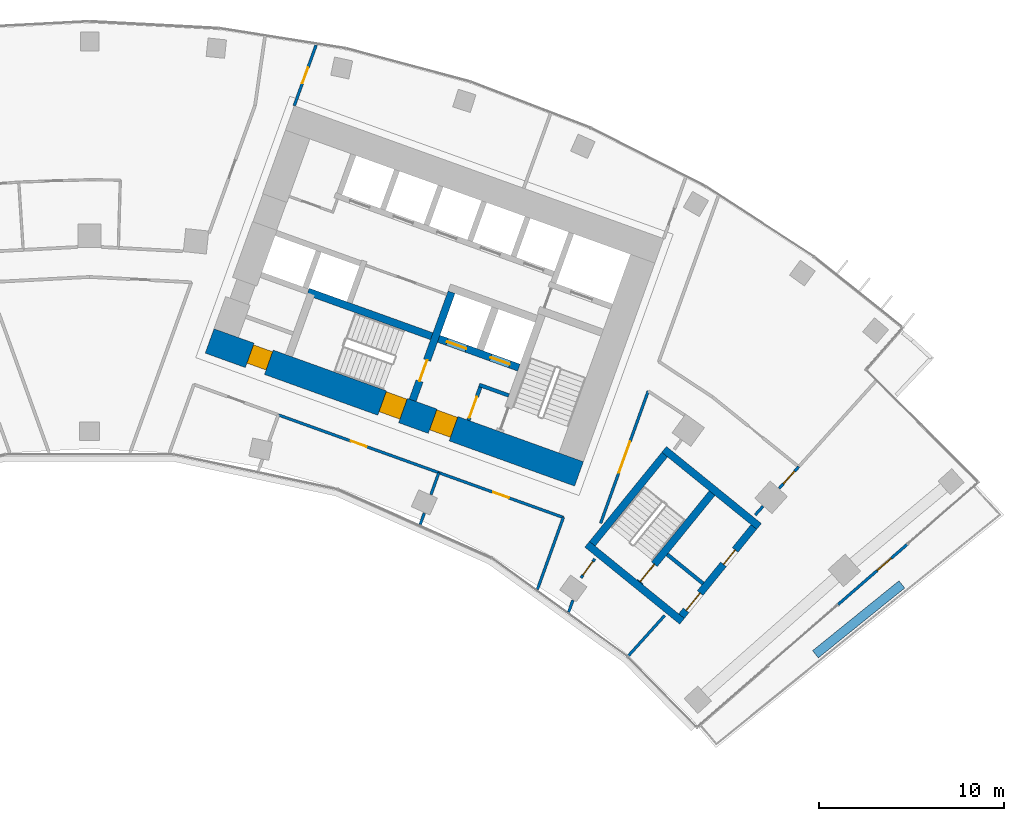
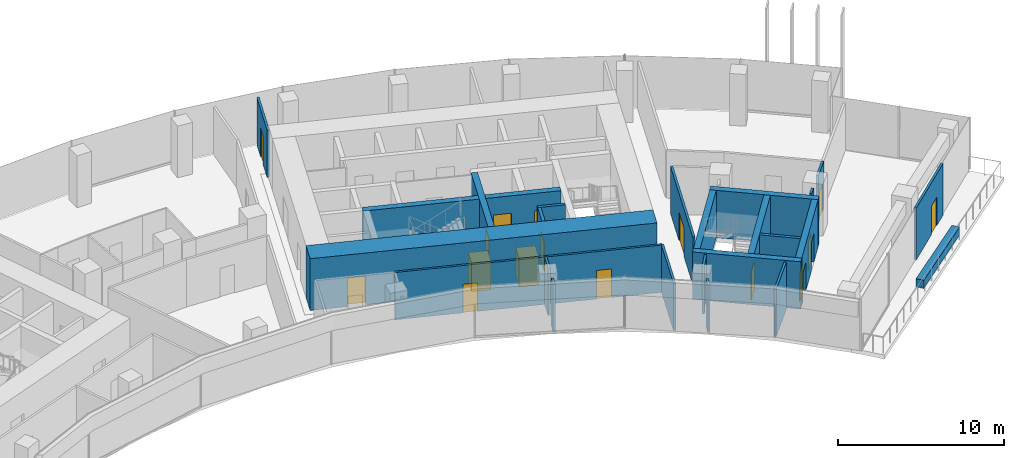
# One storey, part 16 of 20: 25 walls, 17 doors, 17 openings.
"""IFC4 building model written with IfcOpenShell, lengths in metres."""

from ifc_helpers import new_model, si_unit, direction, frame, frame_2d, origin, origin_2d, place, context, subcontext, project, spatial, rectangle, extrude, material, layer, layer_set, type_object, element, fill, save


model = new_model("IFC4")

# Units and contexts
model_context = context("Model", 3, precision=1e-05, world=origin(), true_north=direction((0.0, 1.0)))
body_context = subcontext(model_context, "Body", "Model", "MODEL_VIEW")
ifc_project = project(units=[si_unit("LENGTHUNIT", "METRE"), si_unit("AREAUNIT", "SQUARE_METRE"), si_unit("VOLUMEUNIT", "CUBIC_METRE"), si_unit("PLANEANGLEUNIT", "RADIAN"), si_unit("MASSUNIT", "GRAM", prefix="KILO")], contexts=[model_context])

# Site, building, storey
site_placement = place(None, origin())
site = spatial("IfcSite", under=ifc_project, at=site_placement, CompositionType="ELEMENT")
building_placement = place(site_placement, origin())
building = spatial("IfcBuilding", under=site, at=building_placement, Name="Stone Belt Terrace Tower", CompositionType="ELEMENT")
storey_placement = place(building_placement, frame((0.0, 0.0, 170.60009765625)))
storey = spatial("IfcBuildingStorey", under=building, at=storey_placement, Name="L41", CompositionType="ELEMENT", Elevation=170.60009765625)

# Wall, opening, door
ifc_material_1 = material(Name="Terracotta coloured glazed ceramic", Category="masonry")
ifc_layer_1 = layer(ifc_material_1, 0.14990234375)
ifc_layer_set_1 = layer_set([ifc_layer_1], Name="Ceramic rain-screen wall 150")
wall_type_1 = type_object("IfcWallType", Name="Ceramic rain-screen wall 150", PredefinedType="SOLIDWALL", material=ifc_layer_set_1)
wall_1_placement = place(storey_placement, frame((40.425537109375, 35.089111328125, 0.0), z_axis=(0.0, 0.0, 1.0), x_axis=(0.754270272843, 0.656564052858, 0.0)))
wall_1 = element("IfcWall", 1, at=wall_1_placement, inside=storey, type_object=wall_type_1, Name="Door wall L41", PredefinedType="SOLIDWALL", context=body_context, shape_type="SweptSolid", body=[
    extrude(rectangle(XDim=4.93994140625, YDim=0.14990234375, at=frame_2d((2.469970703125, 0.0))), origin(), (0.0, 0.0, 1.0), 3.7998046875),
])
opening_1_placement = place(wall_1_placement, frame((2.800048828125, 0.0, 0.0)))
opening_1 = element("IfcOpeningElement", 2, at=opening_1_placement, cuts=wall_1, Name="Opening L41-E01", PredefinedType="OPENING", context=body_context, shape_type="SweptSolid", body=[
    extrude(rectangle(XDim=1.0, YDim=2.10009765625, at=frame_2d((0.5, 1.050048828125))), frame((0.0, 0.0849609375, 0.0), z_axis=(0.0, -1.0, 0.0), x_axis=(1.0, 0.0, 0.0)), (0.0, 0.0, 1.0), 0.169921875),
])
ifc_material_2 = material(Name="Anodised aluminium glazed door", Category="aluminium")
door_type_1 = type_object("IfcDoorType", Name="Terrace door 1000 x 2100", OperationType="NOTDEFINED", PredefinedType="DOOR", material=ifc_material_2)
door_1_placement = place(opening_1_placement, origin())
door_1 = element("IfcDoor", 3, at=door_1_placement, inside=storey, type_object=door_type_1, Name="Terrace door L41", OperationType="SINGLE_SWING_RIGHT", OverallHeight=2.10009765625, OverallWidth=1.0, PredefinedType="DOOR", context=body_context, shape_type="SweptSolid", body=[
    extrude(rectangle(XDim=1.0, YDim=2.10009765625, at=frame_2d((0.5, 1.050048828125))), frame((0.0, 0.02490234375, 0.0), z_axis=(0.0, -1.0, 0.0), x_axis=(1.0, 0.0, 0.0)), (0.0, 0.0, 1.0), 0.050048828125),
])
fill(opening_1, door_1)

# Wall, openings, doors
ifc_material_3 = material(Name="Concrete B80", Category="concrete")
ifc_layer_2 = layer(ifc_material_3, 1.39990234375)
ifc_layer_set_2 = layer_set([ifc_layer_2], Name="Core wall 1400 B80")
wall_type_2 = type_object("IfcWallType", Name="Core wall 1400 B80", PredefinedType="SHEAR", material=ifc_layer_set_2)
wall_2_placement = place(storey_placement, frame((6.4833984375, 49.318115234375, 0.0), z_axis=(0.0, 0.0, 1.0), x_axis=(0.940923374003, -0.33861955681, 0.0)))
wall_2 = element("IfcWall", 4, at=wall_2_placement, inside=storey, type_object=wall_type_2, Name="Core B wall concave L41", PredefinedType="SHEAR", context=body_context, shape_type="SweptSolid", body=[
    extrude(rectangle(XDim=21.199951171875, YDim=1.39990234375, at=frame_2d((10.60009765625, 0.0))), origin(), (0.0, 0.0, 1.0), 3.7998046875),
])
opening_2_placement = place(wall_2_placement, frame((12.800048828125, 0.0, 0.0)))
opening_2 = element("IfcOpeningElement", 5, at=opening_2_placement, cuts=wall_2, Name="Opening L41-C18", PredefinedType="OPENING", context=body_context, shape_type="SweptSolid", body=[
    extrude(rectangle(XDim=1.199951171875, YDim=2.10009765625, at=frame_2d((0.60009765625, 1.050048828125))), frame((0.0, 0.7099609375, 0.0), z_axis=(0.0, -1.0, 0.0), x_axis=(1.0, 0.0, 0.0)), (0.0, 0.0, 1.0), 1.419921875),
])
opening_3_placement = place(wall_2_placement, frame((9.89990234375, 0.0, 0.0)))
opening_3 = element("IfcOpeningElement", 6, at=opening_3_placement, cuts=wall_2, Name="Opening L41-C20", PredefinedType="OPENING", context=body_context, shape_type="SweptSolid", body=[
    extrude(rectangle(XDim=1.199951171875, YDim=2.10009765625, at=frame_2d((0.60009765625, 1.050048828125))), frame((0.0, 0.7099609375, 0.0), z_axis=(0.0, -1.0, 0.0), x_axis=(1.0, 0.0, 0.0)), (0.0, 0.0, 1.0), 1.419921875),
])
opening_4_placement = place(wall_2_placement, frame((2.300048828125, 0.0, 0.0)))
opening_4 = element("IfcOpeningElement", 7, at=opening_4_placement, cuts=wall_2, Name="Opening L41-C22", PredefinedType="OPENING", context=body_context, shape_type="SweptSolid", body=[
    extrude(rectangle(XDim=1.10009765625, YDim=2.10009765625, at=frame_2d((0.550048828125, 1.050048828125))), frame((0.0, 0.7099609375, 0.0), z_axis=(0.0, -1.0, 0.0), x_axis=(1.0, 0.0, 0.0)), (0.0, 0.0, 1.0), 1.419921875),
])
ifc_material_4 = material(Name="Timber door leaf", Category="wood")
door_type_2 = type_object("IfcDoorType", Name="Core room door 1100", OperationType="SINGLE_SWING_LEFT", PredefinedType="DOOR", material=ifc_material_4)
door_2_placement = place(opening_4_placement, origin())
door_2 = element("IfcDoor", 8, at=door_2_placement, inside=storey, type_object=door_type_2, Name="Door to Pipe riser core B", OperationType="SINGLE_SWING_LEFT", OverallHeight=2.10009765625, OverallWidth=1.10009765625, PredefinedType="DOOR", context=body_context, shape_type="SweptSolid", body=[
    extrude(rectangle(XDim=1.10009765625, YDim=2.10009765625, at=frame_2d((0.550048828125, 1.050048828125))), frame((0.0, 0.60498046875, 0.0), z_axis=(0.0, -1.0, 0.0), x_axis=(1.0, 0.0, 0.0)), (0.0, 0.0, 1.0), 1.050048828125),
])
fill(opening_4, door_2)
ifc_material_5 = material(Name="Steel door leaf", Category="steel")
door_type_3 = type_object("IfcDoorType", Name="Fire-fighting lobby door 1200", OperationType="SINGLE_SWING_LEFT", PredefinedType="DOOR", material=ifc_material_5)
door_3_placement = place(opening_2_placement, origin())
door_3 = element("IfcDoor", 9, at=door_3_placement, inside=storey, type_object=door_type_3, Name="Fire-fighting lobby door core B", OperationType="SINGLE_SWING_LEFT", OverallHeight=2.10009765625, OverallWidth=1.199951171875, PredefinedType="DOOR", context=body_context, shape_type="SweptSolid", body=[
    extrude(rectangle(XDim=1.199951171875, YDim=2.10009765625, at=frame_2d((0.60009765625, 1.050048828125))), frame((0.0, 0.655029296875, 0.0), z_axis=(0.0, -1.0, 0.0), x_axis=(1.0, 0.0, 0.0)), (0.0, 0.0, 1.0), 1.14990234375),
])
fill(opening_2, door_3)
door_type_4 = type_object("IfcDoorType", Name="Stair door 1200", OperationType="SINGLE_SWING_LEFT", PredefinedType="DOOR", material=ifc_material_5)
door_4_placement = place(opening_3_placement, origin())
door_4 = element("IfcDoor", 10, at=door_4_placement, inside=storey, type_object=door_type_4, Name="Stair 2 exit door core B", OperationType="SINGLE_SWING_RIGHT", OverallHeight=2.10009765625, OverallWidth=1.199951171875, PredefinedType="DOOR", context=body_context, shape_type="SweptSolid", body=[
    extrude(rectangle(XDim=1.199951171875, YDim=2.10009765625, at=frame_2d((0.60009765625, 1.050048828125))), frame((0.0, 0.655029296875, 0.0), z_axis=(0.0, -1.0, 0.0), x_axis=(1.0, 0.0, 0.0)), (0.0, 0.0, 1.0), 1.14990234375),
])
fill(opening_3, door_4)

# Wall, opening, door
ifc_material_6 = material(Name="Gypsum board partition")
ifc_layer_3 = layer(ifc_material_6, 0.14990234375)
ifc_layer_set_3 = layer_set([ifc_layer_3], Name="PARTITION 150 EI 60")
wall_type_3 = type_object("IfcWallType", Name="PARTITION 150 EI 60", PredefinedType="PARTITIONING", material=ifc_layer_set_3)
wall_3_placement = place(storey_placement, frame((12.23486328125, 65.296142578125, 0.0), z_axis=(0.0, 0.0, 1.0), x_axis=(-0.338942963923, -0.940806923448, 0.0)))
wall_3 = element("IfcWall", 11, at=wall_3_placement, inside=storey, type_object=wall_type_3, Name="L41/wall/i022", PredefinedType="PARTITIONING", context=body_context, shape_type="SweptSolid", body=[
    extrude(rectangle(XDim=3.481201171875, YDim=0.14990234375, at=frame_2d((1.74072265625, 0.0))), origin(), (0.0, 0.0, 1.0), 3.47998046875),
])
opening_5_placement = place(wall_3_placement, frame((1.29052734375, 0.0, 0.0)))
opening_5 = element("IfcOpeningElement", 12, at=opening_5_placement, cuts=wall_3, Name="Opening D-C3-09", PredefinedType="OPENING", context=body_context, shape_type="SweptSolid", body=[
    extrude(rectangle(XDim=0.89990234375, YDim=2.10009765625, at=frame_2d((0.449951171875, 1.050048828125))), frame((0.0, 0.0849609375, 0.0), z_axis=(0.0, -1.0, 0.0), x_axis=(1.0, 0.0, 0.0)), (0.0, 0.0, 1.0), 0.169921875),
])
door_type_5 = type_object("IfcDoorType", Name="OFFICE DOOR 900 X 2100", OperationType="NOTDEFINED", PredefinedType="DOOR", material=ifc_material_4)
door_5_placement = place(opening_5_placement, origin())
door_5 = element("IfcDoor", 13, at=door_5_placement, inside=storey, type_object=door_type_5, Name="L41/door/i09", OperationType="SINGLE_SWING_RIGHT", OverallHeight=2.10009765625, OverallWidth=0.89990234375, PredefinedType="DOOR", context=body_context, shape_type="SweptSolid", body=[
    extrude(rectangle(XDim=0.89990234375, YDim=2.10009765625, at=frame_2d((0.449951171875, 1.050048828125))), frame((0.0, 0.02490234375, 0.0), z_axis=(0.0, -1.0, 0.0), x_axis=(1.0, 0.0, 0.0)), (0.0, 0.0, 1.0), 0.050048828125),
])
fill(opening_5, door_5)

# Wall
wall_4_placement = place(storey_placement, frame((24.18603515625, 35.902099609375, 0.0), z_axis=(0.0, 0.0, 1.0), x_axis=(0.338545933013, 0.940949866486, 0.0)))
element("IfcWall", 14, at=wall_4_placement, inside=storey, type_object=wall_type_3, Name="L41/wall/i026", PredefinedType="PARTITIONING", context=body_context, shape_type="SweptSolid", body=[
    extrude(rectangle(XDim=4.135009765625, YDim=0.14990234375, at=frame_2d((2.0673828125, 0.0))), origin(), (0.0, 0.0, 1.0), 3.47998046875),
])

# Wall, opening, door
wall_5_placement = place(storey_placement, frame((30.1669921875, 46.612060546875, 0.0), z_axis=(0.0, 0.0, 1.0), x_axis=(-0.338694393991, -0.940896438233, 0.0)))
wall_5 = element("IfcWall", 15, at=wall_5_placement, inside=storey, type_object=wall_type_3, Name="L41/wall/i028", PredefinedType="PARTITIONING", context=body_context, shape_type="SweptSolid", body=[
    extrude(rectangle(XDim=7.585205078125, YDim=0.14990234375, at=frame_2d((3.79248046875, 0.0))), origin(), (0.0, 0.0, 1.0), 3.47998046875),
])
opening_6_placement = place(wall_5_placement, frame((2.892578125, 0.0, 0.0)))
opening_6 = element("IfcOpeningElement", 16, at=opening_6_placement, cuts=wall_5, Name="Opening D-C3-20", PredefinedType="OPENING", context=body_context, shape_type="SweptSolid", body=[
    extrude(rectangle(XDim=1.800048828125, YDim=2.10009765625, at=frame_2d((0.89990234375, 1.050048828125))), frame((0.0, 0.0849609375, 0.0), z_axis=(0.0, -1.0, 0.0), x_axis=(1.0, 0.0, 0.0)), (0.0, 0.0, 1.0), 0.169921875),
])
door_type_6 = type_object("IfcDoorType", Name="DOUBLE DOOR 1800 X 2100", OperationType="DOUBLE_DOOR_SINGLE_SWING", PredefinedType="DOOR", material=ifc_material_4)
door_6_placement = place(opening_6_placement, origin())
door_6 = element("IfcDoor", 17, at=door_6_placement, inside=storey, type_object=door_type_6, Name="L41/door/i20", OperationType="DOUBLE_DOOR_SINGLE_SWING", OverallHeight=2.10009765625, OverallWidth=1.800048828125, PredefinedType="DOOR", context=body_context, shape_type="SweptSolid", body=[
    extrude(rectangle(XDim=1.800048828125, YDim=2.10009765625, at=frame_2d((0.89990234375, 1.050048828125))), frame((0.0, 0.02490234375, 0.0), z_axis=(0.0, -1.0, 0.0), x_axis=(1.0, 0.0, 0.0)), (0.0, 0.0, 1.0), 0.050048828125),
])
fill(opening_6, door_6)

wall_6_placement = place(storey_placement, frame((27.282958984375, 37.552001953125, 0.0), z_axis=(0.0, 0.0, 1.0), x_axis=(-0.587851817093, -0.808968628032, 0.0)))
wall_6 = element("IfcWall", 18, at=wall_6_placement, inside=storey, type_object=wall_type_3, Name="L41/wall/i029", PredefinedType="PARTITIONING", context=body_context, shape_type="SweptSolid", body=[
    extrude(rectangle(XDim=1.270751953125, YDim=0.14990234375, at=frame_2d((0.63525390625, 0.0))), origin(), (0.0, 0.0, 1.0), 3.47998046875),
])
opening_7_placement = place(wall_6_placement, frame((0.185302734375, 0.0, 0.0)))
opening_7 = element("IfcOpeningElement", 19, at=opening_7_placement, cuts=wall_6, Name="Opening D-C3-21", PredefinedType="OPENING", context=body_context, shape_type="SweptSolid", body=[
    extrude(rectangle(XDim=0.89990234375, YDim=2.10009765625, at=frame_2d((0.449951171875, 1.050048828125))), frame((0.0, 0.0849609375, 0.0), z_axis=(0.0, -1.0, 0.0), x_axis=(1.0, 0.0, 0.0)), (0.0, 0.0, 1.0), 0.169921875),
])
ifc_material_7 = material(Name="Timber fire door leaf", Category="wood")
door_type_7 = type_object("IfcDoorType", Name="TENANCY ENTRANCE DOOR 900 X 2100", OperationType="NOTDEFINED", PredefinedType="DOOR", material=ifc_material_7)
door_7_placement = place(opening_7_placement, origin())
door_7 = element("IfcDoor", 20, at=door_7_placement, inside=storey, type_object=door_type_7, Name="L41/door/i21", OperationType="SINGLE_SWING_RIGHT", OverallHeight=2.10009765625, OverallWidth=0.89990234375, PredefinedType="DOOR", context=body_context, shape_type="SweptSolid", body=[
    extrude(rectangle(XDim=0.89990234375, YDim=2.10009765625, at=frame_2d((0.449951171875, 1.050048828125))), frame((0.0, 0.02490234375, 0.0), z_axis=(0.0, -1.0, 0.0), x_axis=(1.0, 0.0, 0.0)), (0.0, 0.0, 1.0), 0.050048828125),
])
fill(opening_7, door_7)

# Wall
wall_7_placement = place(storey_placement, frame((26.101318359375, 35.318115234375, 0.0), z_axis=(0.0, 0.0, 1.0), x_axis=(-0.339176971689, -0.940722584972, 0.0)))
element("IfcWall", 21, at=wall_7_placement, inside=storey, type_object=wall_type_3, Name="L41/wall/i030", PredefinedType="PARTITIONING", context=body_context, shape_type="SweptSolid", body=[
    extrude(rectangle(XDim=0.68017578125, YDim=0.14990234375, at=frame_2d((0.340087890625, 0.0))), origin(), (0.0, 0.0, 1.0), 3.47998046875),
])

# Wall, opening, door
wall_8_placement = place(storey_placement, frame((18.867919921875, 42.2041015625, 0.0), z_axis=(0.0, 0.0, 1.0), x_axis=(-0.940925552153, 0.338613504317, 0.0)))
wall_8 = element("IfcWall", 22, at=wall_8_placement, inside=storey, type_object=wall_type_3, Name="L41/wall/i033", PredefinedType="PARTITIONING", context=body_context, shape_type="SweptSolid", body=[
    extrude(rectangle(XDim=9.219482421875, YDim=0.14990234375, at=frame_2d((4.60986328125, 0.0))), origin(), (0.0, 0.0, 1.0), 3.47998046875),
])
opening_8_placement = place(wall_8_placement, frame((4.159912109375, 0.0, 0.0)))
opening_8 = element("IfcOpeningElement", 23, at=opening_8_placement, cuts=wall_8, Name="Opening D-C3-07", PredefinedType="OPENING", context=body_context, shape_type="SweptSolid", body=[
    extrude(rectangle(XDim=0.89990234375, YDim=2.10009765625, at=frame_2d((0.449951171875, 1.050048828125))), frame((0.0, 0.0849609375, 0.0), z_axis=(0.0, -1.0, 0.0), x_axis=(1.0, 0.0, 0.0)), (0.0, 0.0, 1.0), 0.169921875),
])
door_8_placement = place(opening_8_placement, origin())
door_8 = element("IfcDoor", 24, at=door_8_placement, inside=storey, type_object=door_type_5, Name="L41/door/i07", OperationType="SINGLE_SWING_RIGHT", OverallHeight=2.10009765625, OverallWidth=0.89990234375, PredefinedType="DOOR", context=body_context, shape_type="SweptSolid", body=[
    extrude(rectangle(XDim=0.89990234375, YDim=2.10009765625, at=frame_2d((0.449951171875, 1.050048828125))), frame((0.0, 0.02490234375, 0.0), z_axis=(0.0, -1.0, 0.0), x_axis=(1.0, 0.0, 0.0)), (0.0, 0.0, 1.0), 0.050048828125),
])
fill(opening_8, door_8)

wall_9_placement = place(storey_placement, frame((25.583984375, 39.787109375, 0.0), z_axis=(0.0, 0.0, 1.0), x_axis=(-0.940940502456, 0.338571958138, 0.0)))
wall_9 = element("IfcWall", 25, at=wall_9_placement, inside=storey, type_object=wall_type_3, Name="L41/wall/i034", PredefinedType="PARTITIONING", context=body_context, shape_type="SweptSolid", body=[
    extrude(rectangle(XDim=7.150390625, YDim=0.14990234375, at=frame_2d((3.5751953125, 0.0))), origin(), (0.0, 0.0, 1.0), 3.47998046875),
])
opening_9_placement = place(wall_9_placement, frame((3.125244140625, 0.0, 0.0)))
opening_9 = element("IfcOpeningElement", 26, at=opening_9_placement, cuts=wall_9, Name="Opening D-C3-08", PredefinedType="OPENING", context=body_context, shape_type="SweptSolid", body=[
    extrude(rectangle(XDim=0.89990234375, YDim=2.10009765625, at=frame_2d((0.449951171875, 1.050048828125))), frame((0.0, 0.0849609375, 0.0), z_axis=(0.0, -1.0, 0.0), x_axis=(1.0, 0.0, 0.0)), (0.0, 0.0, 1.0), 0.169921875),
])
door_9_placement = place(opening_9_placement, origin())
door_9 = element("IfcDoor", 27, at=door_9_placement, inside=storey, type_object=door_type_5, Name="L41/door/i08", OperationType="SINGLE_SWING_RIGHT", OverallHeight=2.10009765625, OverallWidth=0.89990234375, PredefinedType="DOOR", context=body_context, shape_type="SweptSolid", body=[
    extrude(rectangle(XDim=0.89990234375, YDim=2.10009765625, at=frame_2d((0.449951171875, 1.050048828125))), frame((0.0, 0.02490234375, 0.0), z_axis=(0.0, -1.0, 0.0), x_axis=(1.0, 0.0, 0.0)), (0.0, 0.0, 1.0), 0.050048828125),
])
fill(opening_9, door_9)

# Walls
wall_10_placement = place(storey_placement, frame((18.862060546875, 42.2060546875, 0.0), z_axis=(0.0, 0.0, 1.0), x_axis=(-0.33862320922, -0.940922059566, 0.0)))
element("IfcWall", 28, at=wall_10_placement, inside=storey, type_object=wall_type_3, Name="L41/wall/i037", PredefinedType="PARTITIONING", context=body_context, shape_type="SweptSolid", body=[
    extrude(rectangle(XDim=1.25732421875, YDim=0.14990234375, at=frame_2d((0.628662109375, 0.0))), origin(), (0.0, 0.0, 1.0), 3.47998046875),
])
wall_11_placement = place(storey_placement, frame((18.076416015625, 40.022705078125, 0.0), z_axis=(0.0, 0.0, 1.0), x_axis=(-0.338508237964, -0.940963427998, 0.0)))
element("IfcWall", 29, at=wall_11_placement, inside=storey, type_object=wall_type_3, Name="L41/wall/i038", PredefinedType="PARTITIONING", context=body_context, shape_type="SweptSolid", body=[
    extrude(rectangle(XDim=0.65478515625, YDim=0.14990234375, at=frame_2d((0.327392578125, 0.0))), origin(), (0.0, 0.0, 1.0), 3.47998046875),
])
wall_12_placement = place(storey_placement, frame((35.946044921875, 39.922119140625, 0.0), z_axis=(0.0, 0.0, 1.0), x_axis=(0.669202254409, 0.743080307028, 0.0)))
element("IfcWall", 30, at=wall_12_placement, inside=storey, type_object=wall_type_3, Name="L41/wall/i062", PredefinedType="PARTITIONING", context=body_context, shape_type="SweptSolid", body=[
    extrude(rectangle(XDim=0.62451171875, YDim=0.14990234375, at=frame_2d((0.312255859375, 0.0))), origin(), (0.0, 0.0, 1.0), 3.47998046875),
])

# Wall, opening, door
wall_13_placement = place(storey_placement, frame((38.294921875, 42.530029296875, 0.0), z_axis=(0.0, 0.0, 1.0), x_axis=(-0.669255825658, -0.743032058408, 0.0)))
wall_13 = element("IfcWall", 31, at=wall_13_placement, inside=storey, type_object=wall_type_3, Name="L41/wall/i063", PredefinedType="PARTITIONING", context=body_context, shape_type="SweptSolid", body=[
    extrude(rectangle(XDim=1.5751953125, YDim=0.14990234375, at=frame_2d((0.78759765625, 0.0))), origin(), (0.0, 0.0, 1.0), 3.47998046875),
])
opening_10_placement = place(wall_13_placement, frame((0.337646484375, 0.0, 0.0)))
opening_10 = element("IfcOpeningElement", 32, at=opening_10_placement, cuts=wall_13, Name="Opening D-C3-19", PredefinedType="OPENING", context=body_context, shape_type="SweptSolid", body=[
    extrude(rectangle(XDim=0.89990234375, YDim=2.10009765625, at=frame_2d((0.449951171875, 1.050048828125))), frame((0.0, 0.0849609375, 0.0), z_axis=(0.0, -1.0, 0.0), x_axis=(1.0, 0.0, 0.0)), (0.0, 0.0, 1.0), 0.169921875),
])
door_10_placement = place(opening_10_placement, origin())
door_10 = element("IfcDoor", 33, at=door_10_placement, inside=storey, type_object=door_type_7, Name="L41/door/i19", OperationType="SINGLE_SWING_RIGHT", OverallHeight=2.10009765625, OverallWidth=0.89990234375, PredefinedType="DOOR", context=body_context, shape_type="SweptSolid", body=[
    extrude(rectangle(XDim=0.89990234375, YDim=2.10009765625, at=frame_2d((0.449951171875, 1.050048828125))), frame((0.0, 0.02490234375, 0.0), z_axis=(0.0, -1.0, 0.0), x_axis=(1.0, 0.0, 0.0)), (0.0, 0.0, 1.0), 0.050048828125),
])
fill(opening_10, door_10)

# Walls
wall_14_placement = place(storey_placement, frame((29.107177734375, 32.32666015625, 0.0), z_axis=(0.0, 0.0, 1.0), x_axis=(0.669108362487, 0.743164853347, 0.0)))
element("IfcWall", 34, at=wall_14_placement, inside=storey, type_object=wall_type_3, Name="L41/wall/i064", PredefinedType="PARTITIONING", context=body_context, shape_type="SweptSolid", body=[
    extrude(rectangle(XDim=2.910888671875, YDim=0.14990234375, at=frame_2d((1.45556640625, 0.0))), origin(), (0.0, 0.0, 1.0), 3.47998046875),
])
ifc_material_8 = material(Name="Precast concrete C40/50", Category="concrete")
ifc_layer_4 = layer(ifc_material_8, 0.5)
ifc_layer_set_4 = layer_set([ifc_layer_4], Name="Planter box 500 x 600")
wall_type_4 = type_object("IfcWallType", Name="Planter box 500 x 600", PredefinedType="SOLIDWALL", material=ifc_layer_set_4)
wall_15_placement = place(storey_placement, frame((41.53125, 34.2841796875, -0.000244140625), z_axis=(0.0, 0.0, 1.0), x_axis=(0.777643619096, 0.628705337721, 0.0)))
element("IfcWall", 35, at=wall_15_placement, inside=storey, type_object=wall_type_4, Name="PLANTER L41 1", PredefinedType="SOLIDWALL", context=body_context, shape_type="SweptSolid", body=[
    extrude(rectangle(XDim=6.0, YDim=0.5, at=origin_2d()), origin(), (0.0, 0.0, 1.0), 0.60009765625),
])
ifc_material_9 = material(Name="Concrete masonry block", Category="masonry")
ifc_layer_5 = layer(ifc_material_9, 0.199951171875)
ifc_layer_set_5 = layer_set([ifc_layer_5], Name="Rated lobby wall 200")
wall_type_5 = type_object("IfcWallType", Name="Rated lobby wall 200", PredefinedType="PARTITIONING", material=ifc_layer_set_5)
wall_16_placement = place(storey_placement, frame((22.640625, 46.373046875, 0.0), z_axis=(0.0, 0.0, 1.0), x_axis=(-0.940966110313, 0.338500781747, 0.0)))
element("IfcWall", 36, at=wall_16_placement, inside=storey, type_object=wall_type_5, Name="Core B wall", PredefinedType="PARTITIONING", context=body_context, shape_type="SweptSolid", body=[
    extrude(rectangle(XDim=1.699951171875, YDim=0.199951171875, at=frame_2d((0.85009765625, 0.0))), origin(), (0.0, 0.0, 1.0), 3.47998046875),
])

# Wall, opening, door
wall_17_placement = place(storey_placement, frame((20.4580078125, 45.032958984375, 0.0), z_axis=(0.0, 0.0, 1.0), x_axis=(0.338573865316, 0.940939816208, 0.0)))
wall_17 = element("IfcWall", 37, at=wall_17_placement, inside=storey, type_object=wall_type_5, Name="Core B wall", PredefinedType="PARTITIONING", context=body_context, shape_type="SweptSolid", body=[
    extrude(rectangle(XDim=1.900146484375, YDim=0.199951171875, at=frame_2d((0.9501953125, 0.0))), origin(), (0.0, 0.0, 1.0), 3.47998046875),
])
opening_11_placement = place(wall_17_placement, frame((0.14990234375, 0.0, 0.0)))
opening_11 = element("IfcOpeningElement", 38, at=opening_11_placement, cuts=wall_17, Name="Opening L41-C17", PredefinedType="OPENING", context=body_context, shape_type="SweptSolid", body=[
    extrude(rectangle(XDim=1.199951171875, YDim=2.10009765625, at=frame_2d((0.60009765625, 1.050048828125))), frame((0.0, 0.10986328125, 0.0), z_axis=(0.0, -1.0, 0.0), x_axis=(1.0, 0.0, 0.0)), (0.0, 0.0, 1.0), 0.219970703125),
])
door_11_placement = place(opening_11_placement, origin())
door_11 = element("IfcDoor", 39, at=door_11_placement, inside=storey, type_object=door_type_4, Name="Stair airlock door core B", OperationType="SINGLE_SWING_LEFT", OverallHeight=2.10009765625, OverallWidth=1.199951171875, PredefinedType="DOOR", context=body_context, shape_type="SweptSolid", body=[
    extrude(rectangle(XDim=1.199951171875, YDim=2.10009765625, at=frame_2d((0.60009765625, 1.050048828125))), frame((0.0, 0.02490234375, 0.0), z_axis=(0.0, -1.0, 0.0), x_axis=(1.0, 0.0, 0.0)), (0.0, 0.0, 1.0), 0.050048828125),
])
fill(opening_11, door_11)

# Wall
wall_18_placement = place(storey_placement, frame((31.190673828125, 37.79296875, 0.0), z_axis=(0.0, 0.0, 1.0), x_axis=(0.776370830301, -0.630276394813, 0.0)))
element("IfcWall", 40, at=wall_18_placement, inside=storey, type_object=wall_type_5, Name="Exit stair ST3B wall", PredefinedType="PARTITIONING", context=body_context, shape_type="SweptSolid", body=[
    extrude(rectangle(XDim=2.5, YDim=0.199951171875, at=frame_2d((1.25, 0.0))), origin(), (0.0, 0.0, 1.0), 3.47998046875),
])

# Wall, openings, doors
ifc_layer_6 = layer(ifc_material_3, 0.39990234375)
ifc_layer_set_6 = layer_set([ifc_layer_6], Name="Stair enclosure wall 400")
wall_type_6 = type_object("IfcWallType", Name="Stair enclosure wall 400", PredefinedType="SHEAR", material=ifc_layer_set_6)
wall_19_placement = place(storey_placement, frame((23.182373046875, 47.87841796875, 0.0), z_axis=(0.0, 0.0, 1.0), x_axis=(-0.940921101762, 0.338625870628, 0.0)))
wall_19 = element("IfcWall", 41, at=wall_19_placement, inside=storey, type_object=wall_type_6, Name="Core B wall", PredefinedType="SHEAR", context=body_context, shape_type="SweptSolid", body=[
    extrude(rectangle(XDim=12.10009765625, YDim=0.39990234375, at=frame_2d((6.050048828125, 0.0))), origin(), (0.0, 0.0, 1.0), 3.47998046875),
])
opening_12_placement = place(wall_19_placement, frame((0.52001953125, 0.0, 0.0)))
opening_12 = element("IfcOpeningElement", 42, at=opening_12_placement, cuts=wall_19, Name="Opening L41-LD14", PredefinedType="OPENING", context=body_context, shape_type="SweptSolid", body=[
    extrude(rectangle(XDim=1.10009765625, YDim=2.199951171875, at=frame_2d((0.550048828125, 1.10009765625))), frame((0.0, 0.2099609375, 0.0), z_axis=(0.0, -1.0, 0.0), x_axis=(1.0, 0.0, 0.0)), (0.0, 0.0, 1.0), 0.419921875),
])
opening_13_placement = place(wall_19_placement, frame((3.02001953125, 0.0, 0.0)))
opening_13 = element("IfcOpeningElement", 43, at=opening_13_placement, cuts=wall_19, Name="Opening L41-LD15", PredefinedType="OPENING", context=body_context, shape_type="SweptSolid", body=[
    extrude(rectangle(XDim=1.10009765625, YDim=2.199951171875, at=frame_2d((0.550048828125, 1.10009765625))), frame((0.0, 0.2099609375, 0.0), z_axis=(0.0, -1.0, 0.0), x_axis=(1.0, 0.0, 0.0)), (0.0, 0.0, 1.0), 0.419921875),
])
ifc_material_10 = material(Name="Stainless steel door leaf", Category="steel")
door_type_8 = type_object("IfcDoorType", Name="Landing door 1100", OperationType="SLIDING_TO_LEFT", PredefinedType="DOOR", material=ifc_material_10)
door_12_placement = place(opening_12_placement, origin())
door_12 = element("IfcDoor", 44, at=door_12_placement, inside=storey, type_object=door_type_8, Name="Landing door FF1 core B", OperationType="SLIDING_TO_LEFT", OverallHeight=2.199951171875, OverallWidth=1.10009765625, PredefinedType="DOOR", context=body_context, shape_type="SweptSolid", body=[
    extrude(rectangle(XDim=1.10009765625, YDim=2.199951171875, at=frame_2d((0.550048828125, 1.10009765625))), frame((0.0, 0.02490234375, 0.0), z_axis=(0.0, -1.0, 0.0), x_axis=(1.0, 0.0, 0.0)), (0.0, 0.0, 1.0), 0.050048828125),
])
fill(opening_12, door_12)
door_13_placement = place(opening_13_placement, origin())
door_13 = element("IfcDoor", 45, at=door_13_placement, inside=storey, type_object=door_type_8, Name="Landing door FF2 core B", OperationType="SLIDING_TO_LEFT", OverallHeight=2.199951171875, OverallWidth=1.10009765625, PredefinedType="DOOR", context=body_context, shape_type="SweptSolid", body=[
    extrude(rectangle(XDim=1.10009765625, YDim=2.199951171875, at=frame_2d((0.550048828125, 1.10009765625))), frame((0.0, 0.02490234375, 0.0), z_axis=(0.0, -1.0, 0.0), x_axis=(1.0, 0.0, 0.0)), (0.0, 0.0, 1.0), 0.050048828125),
])
fill(opening_13, door_13)

# Wall, opening, door
wall_20_placement = place(storey_placement, frame((17.447021484375, 46.116455078125, 0.0), z_axis=(0.0, 0.0, 1.0), x_axis=(0.33860791464, 0.940927563707, 0.0)))
wall_20 = element("IfcWall", 46, at=wall_20_placement, inside=storey, type_object=wall_type_6, Name="Core B wall", PredefinedType="SHEAR", context=body_context, shape_type="SweptSolid", body=[
    extrude(rectangle(XDim=6.199951171875, YDim=0.39990234375, at=frame_2d((3.10009765625, 0.0))), origin(), (0.0, 0.0, 1.0), 3.47998046875),
])
opening_14_placement = place(wall_20_placement, frame((1.10009765625, 0.0, 0.0)))
opening_14 = element("IfcOpeningElement", 47, at=opening_14_placement, cuts=wall_20, Name="Opening L41-C19", PredefinedType="OPENING", context=body_context, shape_type="SweptSolid", body=[
    extrude(rectangle(XDim=1.199951171875, YDim=2.10009765625, at=frame_2d((0.60009765625, 1.050048828125))), frame((0.0, 0.2099609375, 0.0), z_axis=(0.0, -1.0, 0.0), x_axis=(1.0, 0.0, 0.0)), (0.0, 0.0, 1.0), 0.419921875),
])
door_14_placement = place(opening_14_placement, origin())
door_14 = element("IfcDoor", 48, at=door_14_placement, inside=storey, type_object=door_type_4, Name="Stair 2 door core B", OperationType="SINGLE_SWING_LEFT", OverallHeight=2.10009765625, OverallWidth=1.199951171875, PredefinedType="DOOR", context=body_context, shape_type="SweptSolid", body=[
    extrude(rectangle(XDim=1.199951171875, YDim=2.10009765625, at=frame_2d((0.60009765625, 1.050048828125))), frame((0.0, 0.02490234375, 0.0), z_axis=(0.0, -1.0, 0.0), x_axis=(1.0, 0.0, 0.0)), (0.0, 0.0, 1.0), 0.050048828125),
])
fill(opening_14, door_14)

# Walls
wall_21_placement = place(storey_placement, frame((26.868408203125, 38.3388671875, 0.0), z_axis=(0.0, 0.0, 1.0), x_axis=(0.776428452498, -0.630205409491, 0.0)))
element("IfcWall", 49, at=wall_21_placement, inside=storey, type_object=wall_type_6, Name="Exit stair ST3B wall", PredefinedType="SHEAR", context=body_context, shape_type="SweptSolid", body=[
    extrude(rectangle(XDim=6.60009765625, YDim=0.39990234375, at=frame_2d((3.300048828125, 0.0))), origin(), (0.0, 0.0, 1.0), 3.47998046875),
])
wall_22_placement = place(storey_placement, frame((31.02783203125, 43.46337890625, 0.0), z_axis=(0.0, 0.0, 1.0), x_axis=(0.776413760801, -0.630223509589, 0.0)))
element("IfcWall", 50, at=wall_22_placement, inside=storey, type_object=wall_type_6, Name="Exit stair ST3B wall", PredefinedType="SHEAR", context=body_context, shape_type="SweptSolid", body=[
    extrude(rectangle(XDim=6.599853515625, YDim=0.39990234375, at=frame_2d((3.2998046875, 0.0))), origin(), (0.0, 0.0, 1.0), 3.47998046875),
])
wall_23_placement = place(storey_placement, frame((27.149658203125, 38.3681640625, 0.0), z_axis=(0.0, 0.0, 1.0), x_axis=(0.630211551729, 0.776423466973, 0.0)))
element("IfcWall", 51, at=wall_23_placement, inside=storey, type_object=wall_type_6, Name="Exit stair ST3B wall", PredefinedType="SHEAR", context=body_context, shape_type="SweptSolid", body=[
    extrude(rectangle(XDim=6.199951171875, YDim=0.39990234375, at=frame_2d((3.10009765625, 0.0))), origin(), (0.0, 0.0, 1.0), 3.47998046875),
])

# Wall, openings, doors
wall_24_placement = place(storey_placement, frame((31.963623046875, 34.460693359375, 0.0), z_axis=(0.0, 0.0, 1.0), x_axis=(0.630192283849, 0.776439106033, 0.0)))
wall_24 = element("IfcWall", 52, at=wall_24_placement, inside=storey, type_object=wall_type_6, Name="Exit stair ST3B wall", PredefinedType="SHEAR", context=body_context, shape_type="SweptSolid", body=[
    extrude(rectangle(XDim=6.199951171875, YDim=0.39990234375, at=frame_2d((3.10009765625, 0.0))), origin(), (0.0, 0.0, 1.0), 3.47998046875),
])
opening_15_placement = place(wall_24_placement, frame((0.39990234375, 0.0, 0.0)))
opening_15 = element("IfcOpeningElement", 53, at=opening_15_placement, cuts=wall_24, Name="Opening L41-C27", PredefinedType="OPENING", context=body_context, shape_type="SweptSolid", body=[
    extrude(rectangle(XDim=1.199951171875, YDim=2.10009765625, at=frame_2d((0.60009765625, 1.050048828125))), frame((0.0, 0.2099609375, 0.0), z_axis=(0.0, -1.0, 0.0), x_axis=(1.0, 0.0, 0.0)), (0.0, 0.0, 1.0), 0.419921875),
])
opening_16_placement = place(wall_24_placement, frame((3.60009765625, 0.0, 0.0)))
opening_16 = element("IfcOpeningElement", 54, at=opening_16_placement, cuts=wall_24, Name="Opening L41-C28", PredefinedType="OPENING", context=body_context, shape_type="SweptSolid", body=[
    extrude(rectangle(XDim=1.0, YDim=2.10009765625, at=frame_2d((0.5, 1.050048828125))), frame((0.0, 0.2099609375, 0.0), z_axis=(0.0, -1.0, 0.0), x_axis=(1.0, 0.0, 0.0)), (0.0, 0.0, 1.0), 0.419921875),
])
door_type_9 = type_object("IfcDoorType", Name="Core room door 1000", OperationType="SINGLE_SWING_LEFT", PredefinedType="DOOR", material=ifc_material_4)
door_15_placement = place(opening_16_placement, origin())
door_15 = element("IfcDoor", 55, at=door_15_placement, inside=storey, type_object=door_type_9, Name="Door to stair pressurisation plant room ST3B", OperationType="SINGLE_SWING_RIGHT", OverallHeight=2.10009765625, OverallWidth=1.0, PredefinedType="DOOR", context=body_context, shape_type="SweptSolid", body=[
    extrude(rectangle(XDim=1.0, YDim=2.10009765625, at=frame_2d((0.5, 1.050048828125))), frame((0.0, 0.02490234375, 0.0), z_axis=(0.0, -1.0, 0.0), x_axis=(1.0, 0.0, 0.0)), (0.0, 0.0, 1.0), 0.050048828125),
])
fill(opening_16, door_15)
door_type_10 = type_object("IfcDoorType", Name="Stair airlock door 1200", OperationType="SINGLE_SWING_LEFT", PredefinedType="DOOR", material=ifc_material_5)
door_16_placement = place(opening_15_placement, origin())
door_16 = element("IfcDoor", 56, at=door_16_placement, inside=storey, type_object=door_type_10, Name="Stair airlock door ST3B", OperationType="SINGLE_SWING_RIGHT", OverallHeight=2.10009765625, OverallWidth=1.199951171875, PredefinedType="DOOR", context=body_context, shape_type="SweptSolid", body=[
    extrude(rectangle(XDim=1.199951171875, YDim=2.10009765625, at=frame_2d((0.60009765625, 1.050048828125))), frame((0.0, 0.02490234375, 0.0), z_axis=(0.0, -1.0, 0.0), x_axis=(1.0, 0.0, 0.0)), (0.0, 0.0, 1.0), 0.050048828125),
])
fill(opening_15, door_16)

# Wall, opening, door
wall_25_placement = place(storey_placement, frame((29.7119140625, 36.288330078125, 0.0), z_axis=(0.0, 0.0, 1.0), x_axis=(0.630192283849, 0.776439106033, 0.0)))
wall_25 = element("IfcWall", 57, at=wall_25_placement, inside=storey, type_object=wall_type_6, Name="Exit stair ST3B wall", PredefinedType="SHEAR", context=body_context, shape_type="SweptSolid", body=[
    extrude(rectangle(XDim=6.199951171875, YDim=0.39990234375, at=frame_2d((3.10009765625, 0.0))), origin(), (0.0, 0.0, 1.0), 3.47998046875),
])
opening_17_placement = place(wall_25_placement, frame((0.050048828125, 0.0, 0.0)))
opening_17 = element("IfcOpeningElement", 58, at=opening_17_placement, cuts=wall_25, Name="Opening L41-C26", PredefinedType="OPENING", context=body_context, shape_type="SweptSolid", body=[
    extrude(rectangle(XDim=1.199951171875, YDim=2.10009765625, at=frame_2d((0.60009765625, 1.050048828125))), frame((0.0, 0.2099609375, 0.0), z_axis=(0.0, -1.0, 0.0), x_axis=(1.0, 0.0, 0.0)), (0.0, 0.0, 1.0), 0.419921875),
])
door_17_placement = place(opening_17_placement, origin())
door_17 = element("IfcDoor", 59, at=door_17_placement, inside=storey, type_object=door_type_4, Name="Stair door ST3B", OperationType="SINGLE_SWING_LEFT", OverallHeight=2.10009765625, OverallWidth=1.199951171875, PredefinedType="DOOR", context=body_context, shape_type="SweptSolid", body=[
    extrude(rectangle(XDim=1.199951171875, YDim=2.10009765625, at=frame_2d((0.60009765625, 1.050048828125))), frame((0.0, 0.02490234375, 0.0), z_axis=(0.0, -1.0, 0.0), x_axis=(1.0, 0.0, 0.0)), (0.0, 0.0, 1.0), 0.050048828125),
])
fill(opening_17, door_17)

save(model, "model.ifc")
